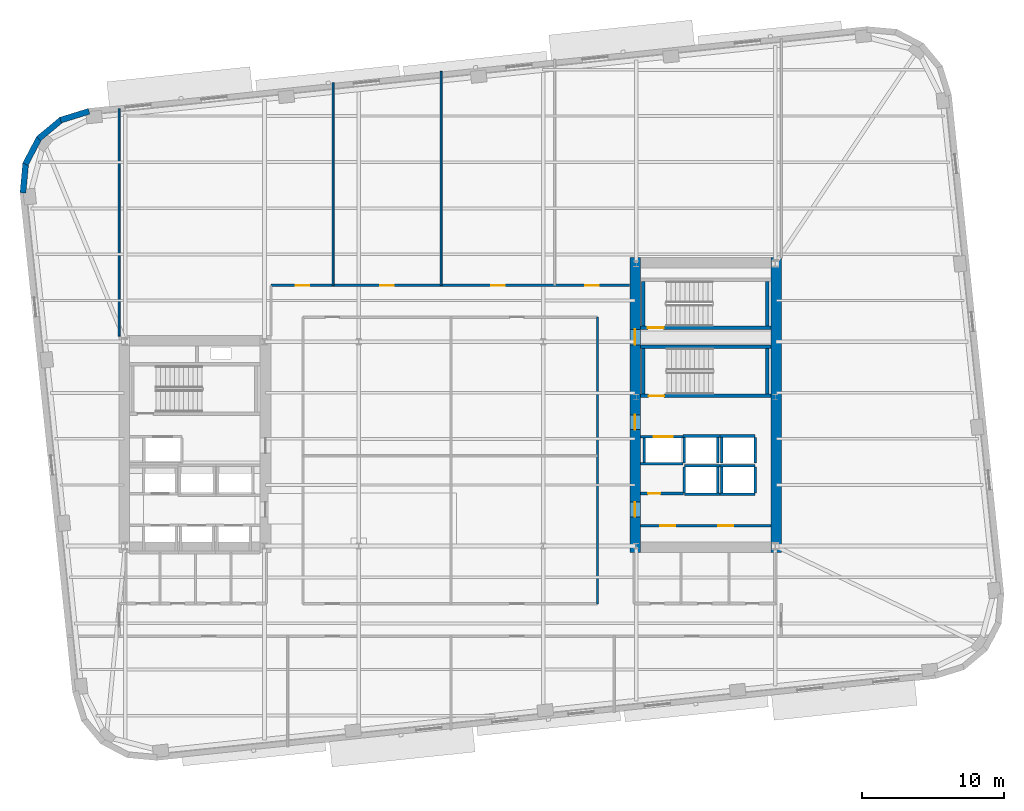
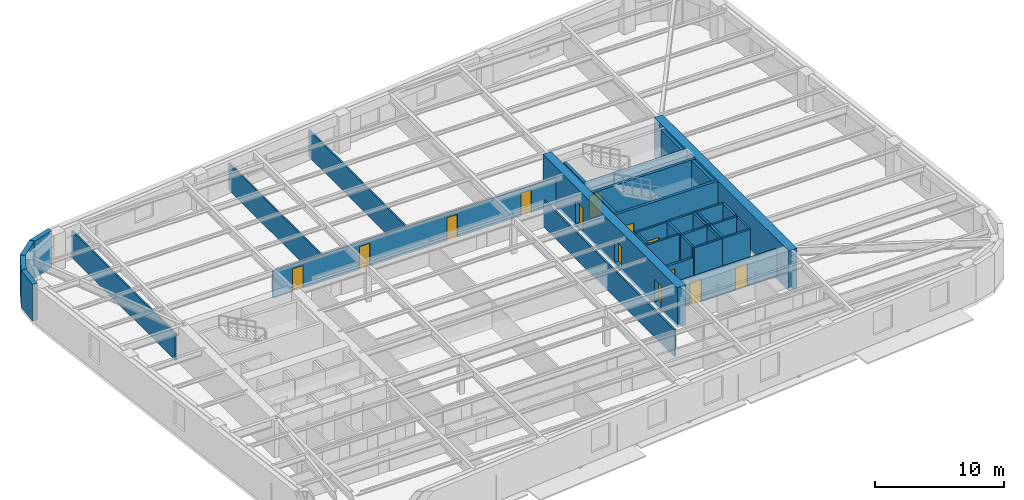
# One storey, part 6 of 11: 37 walls, 13 doors, 13 openings.
"""IFC4 building model written with IfcOpenShell, lengths in metres."""

from ifc_helpers import new_model, si_unit, direction, frame, frame_2d, origin, place, context, subcontext, project, spatial, rectangle, extrude, material, layer, layer_set, type_object, element, fill, save


model = new_model("IFC4")

# Units and contexts
model_context = context("Model", 3, precision=1e-05, world=origin(), true_north=direction((0.0, 1.0)))
body_context = subcontext(model_context, "Body", "Model", "MODEL_VIEW")
ifc_project = project(units=[si_unit("LENGTHUNIT", "METRE"), si_unit("AREAUNIT", "SQUARE_METRE"), si_unit("VOLUMEUNIT", "CUBIC_METRE"), si_unit("PLANEANGLEUNIT", "RADIAN"), si_unit("MASSUNIT", "GRAM", prefix="KILO")], contexts=[model_context])

# Site, building, storey
site_placement = place(None, origin())
site = spatial("IfcSite", under=ifc_project, at=site_placement, CompositionType="ELEMENT")
building_placement = place(site_placement, origin())
building = spatial("IfcBuilding", under=site, at=building_placement, Name="Kolvaren Arena Tower", CompositionType="ELEMENT")
storey_placement = place(building_placement, frame((0.0, 0.0, 134.5)))
storey = spatial("IfcBuildingStorey", under=building, at=storey_placement, Name="L31", CompositionType="ELEMENT", Elevation=134.5)

# Wall, openings, doors
ifc_material_1 = material(Name="Gypsum board acoustic assembly", Category="gypsum")
ifc_layer_1 = layer(ifc_material_1, 0.159912109375)
ifc_layer_set_1 = layer_set([ifc_layer_1], Name="Gypsum board acoustic assembly")
wall_type_1 = type_object("IfcWallType", Name="CORR-160", PredefinedType="PARTITIONING", material=ifc_layer_set_1)
wall_1_placement = place(storey_placement, frame((24.820068359375, 37.820068359375, 0.0), z_axis=(0.0, 0.0, 1.0), x_axis=(1.0, 0.0, 0.0)))
wall_1 = element("IfcWall", 1, at=wall_1_placement, inside=storey, type_object=wall_type_1, Name="Interior Partition Wall (L31)", PredefinedType="PARTITIONING", context=body_context, shape_type="SweptSolid", body=[
    extrude(rectangle(XDim=25.260009765625, YDim=0.159912109375, at=frame_2d((12.6298828125, 0.0))), origin(), (0.0, 0.0, 1.0), 2.5400390625),
])
opening_1_placement = place(wall_1_placement, frame((1.72998046875, 0.0, 0.0)))
opening_1 = element("IfcOpeningElement", 2, at=opening_1_placement, cuts=wall_1, Name="Opening D05", PredefinedType="OPENING", context=body_context, shape_type="SweptSolid", body=[
    extrude(rectangle(XDim=0.949951171875, YDim=2.14990234375, at=frame_2d((0.47509765625, 1.074951171875))), frame((0.0, 0.08984375, 0.0), z_axis=(0.0, -1.0, 0.0), x_axis=(1.0, 0.0, 0.0)), (0.0, 0.0, 1.0), 0.179931640625),
])
opening_2_placement = place(wall_1_placement, frame((7.705078125, 0.0, 0.0)))
opening_2 = element("IfcOpeningElement", 3, at=opening_2_placement, cuts=wall_1, Name="Opening D05", PredefinedType="OPENING", context=body_context, shape_type="SweptSolid", body=[
    extrude(rectangle(XDim=0.949951171875, YDim=2.14990234375, at=frame_2d((0.47509765625, 1.074951171875))), frame((0.0, 0.08984375, 0.0), z_axis=(0.0, -1.0, 0.0), x_axis=(1.0, 0.0, 0.0)), (0.0, 0.0, 1.0), 0.179931640625),
])
opening_3_placement = place(wall_1_placement, frame((15.5048828125, 0.0, 0.0)))
opening_3 = element("IfcOpeningElement", 4, at=opening_3_placement, cuts=wall_1, Name="Opening D05", PredefinedType="OPENING", context=body_context, shape_type="SweptSolid", body=[
    extrude(rectangle(XDim=0.949951171875, YDim=2.14990234375, at=frame_2d((0.47509765625, 1.074951171875))), frame((0.0, 0.08984375, 0.0), z_axis=(0.0, -1.0, 0.0), x_axis=(1.0, 0.0, 0.0)), (0.0, 0.0, 1.0), 0.179931640625),
])
opening_4_placement = place(wall_1_placement, frame((22.1298828125, 0.0, 0.0)))
opening_4 = element("IfcOpeningElement", 5, at=opening_4_placement, cuts=wall_1, Name="Opening D05", PredefinedType="OPENING", context=body_context, shape_type="SweptSolid", body=[
    extrude(rectangle(XDim=0.949951171875, YDim=2.14990234375, at=frame_2d((0.47509765625, 1.074951171875))), frame((0.0, 0.08984375, 0.0), z_axis=(0.0, -1.0, 0.0), x_axis=(1.0, 0.0, 0.0)), (0.0, 0.0, 1.0), 0.179931640625),
])
ifc_material_2 = material(Name="Solid-core oak acoustic office door", Category="wood")
door_type_1 = type_object("IfcDoorType", Name="DOOR-OF-095", OperationType="NOTDEFINED", PredefinedType="DOOR", material=ifc_material_2)
door_1_placement = place(opening_1_placement, origin())
door_1 = element("IfcDoor", 6, at=door_1_placement, inside=storey, type_object=door_type_1, Name="Corporate Project Office Door (L31)", OperationType="SINGLE_SWING_LEFT", OverallHeight=2.14990234375, OverallWidth=0.949951171875, PredefinedType="DOOR", context=body_context, shape_type="SweptSolid", body=[
    extrude(rectangle(XDim=0.949951171875, YDim=2.14990234375, at=frame_2d((0.47509765625, 1.074951171875))), frame((0.0, 0.02490234375, 0.0), z_axis=(0.0, -1.0, 0.0), x_axis=(1.0, 0.0, 0.0)), (0.0, 0.0, 1.0), 0.050048828125),
])
fill(opening_1, door_1)
door_2_placement = place(opening_2_placement, origin())
door_2 = element("IfcDoor", 7, at=door_2_placement, inside=storey, type_object=door_type_1, Name="Breakout Pantry and Kitchen Door (L31)", OperationType="SINGLE_SWING_RIGHT", OverallHeight=2.14990234375, OverallWidth=0.949951171875, PredefinedType="DOOR", context=body_context, shape_type="SweptSolid", body=[
    extrude(rectangle(XDim=0.949951171875, YDim=2.14990234375, at=frame_2d((0.47509765625, 1.074951171875))), frame((0.0, 0.02490234375, 0.0), z_axis=(0.0, -1.0, 0.0), x_axis=(1.0, 0.0, 0.0)), (0.0, 0.0, 1.0), 0.050048828125),
])
fill(opening_2, door_2)
door_3_placement = place(opening_3_placement, origin())
door_3 = element("IfcDoor", 8, at=door_3_placement, inside=storey, type_object=door_type_1, Name="Design Studio Door (L31)", OperationType="SINGLE_SWING_LEFT", OverallHeight=2.14990234375, OverallWidth=0.949951171875, PredefinedType="DOOR", context=body_context, shape_type="SweptSolid", body=[
    extrude(rectangle(XDim=0.949951171875, YDim=2.14990234375, at=frame_2d((0.47509765625, 1.074951171875))), frame((0.0, 0.02490234375, 0.0), z_axis=(0.0, -1.0, 0.0), x_axis=(1.0, 0.0, 0.0)), (0.0, 0.0, 1.0), 0.050048828125),
])
fill(opening_3, door_3)
door_4_placement = place(opening_4_placement, origin())
door_4 = element("IfcDoor", 9, at=door_4_placement, inside=storey, type_object=door_type_1, Name="Design Studio Door (L31)", OperationType="SINGLE_SWING_RIGHT", OverallHeight=2.14990234375, OverallWidth=0.949951171875, PredefinedType="DOOR", context=body_context, shape_type="SweptSolid", body=[
    extrude(rectangle(XDim=0.949951171875, YDim=2.14990234375, at=frame_2d((0.47509765625, 1.074951171875))), frame((0.0, 0.02490234375, 0.0), z_axis=(0.0, -1.0, 0.0), x_axis=(1.0, 0.0, 0.0)), (0.0, 0.0, 1.0), 0.050048828125),
])
fill(opening_4, door_4)

# Wall
wall_2_placement = place(storey_placement, frame((47.820068359375, 15.3798828125, 0.0), z_axis=(0.0, 0.0, 1.0), x_axis=(0.0, 1.0, 0.0)))
element("IfcWall", 10, at=wall_2_placement, inside=storey, type_object=wall_type_1, Name="Interior Partition Wall (L31)", PredefinedType="PARTITIONING", context=body_context, shape_type="SweptSolid", body=[
    extrude(rectangle(XDim=20.2001953125, YDim=0.159912109375, at=frame_2d((10.10009765625, 0.0))), origin(), (0.0, 0.0, 1.0), 2.5400390625),
])

# Wall, openings, doors
ifc_material_3 = material(Name="Concrete 70 MPa", Category="concrete")
ifc_layer_2 = layer(ifc_material_3, 0.75)
ifc_layer_set_2 = layer_set([ifc_layer_2], Name="Concrete 70 MPa")
wall_type_2 = type_object("IfcWallType", Name="CWALL-750", PredefinedType="SHEAR", material=ifc_layer_set_2)
wall_3_placement = place(storey_placement, frame((50.47509765625, 19.0, -0.27001953125), z_axis=(0.0, 0.0, 1.0), x_axis=(0.0, 1.0, 0.0)))
wall_3 = element("IfcWall", 11, at=wall_3_placement, inside=storey, type_object=wall_type_2, Name="Core Shear Wall EC-WEST (L31)", PredefinedType="SHEAR", context=body_context, shape_type="SweptSolid", body=[
    extrude(rectangle(XDim=20.800048828125, YDim=0.75, at=frame_2d((10.39990234375, 0.0))), origin(), (0.0, 0.0, 1.0), 3.75),
])
opening_5_placement = place(wall_3_placement, frame((2.5, 0.0, 0.27001953125)))
opening_5 = element("IfcOpeningElement", 12, at=opening_5_placement, cuts=wall_3, Name="Opening D04", PredefinedType="OPENING", context=body_context, shape_type="SweptSolid", body=[
    extrude(rectangle(XDim=1.050048828125, YDim=2.14990234375, at=frame_2d((0.52490234375, 1.074951171875))), frame((0.0, 0.385009765625, 0.0), z_axis=(0.0, -1.0, 0.0), x_axis=(1.0, 0.0, 0.0)), (0.0, 0.0, 1.0), 0.77001953125),
])
opening_6_placement = place(wall_3_placement, frame((8.64990234375, 0.0, 0.27001953125)))
opening_6 = element("IfcOpeningElement", 13, at=opening_6_placement, cuts=wall_3, Name="Opening D04", PredefinedType="OPENING", context=body_context, shape_type="SweptSolid", body=[
    extrude(rectangle(XDim=1.050048828125, YDim=2.14990234375, at=frame_2d((0.52490234375, 1.074951171875))), frame((0.0, 0.385009765625, 0.0), z_axis=(0.0, -1.0, 0.0), x_axis=(1.0, 0.0, 0.0)), (0.0, 0.0, 1.0), 0.77001953125),
])
opening_7_placement = place(wall_3_placement, frame((14.6201171875, 0.0, 0.27001953125)))
opening_7 = element("IfcOpeningElement", 14, at=opening_7_placement, cuts=wall_3, Name="Opening D03", PredefinedType="OPENING", context=body_context, shape_type="SweptSolid", body=[
    extrude(rectangle(XDim=1.10009765625, YDim=2.14990234375, at=frame_2d((0.550048828125, 1.074951171875))), frame((0.0, 0.385009765625, 0.0), z_axis=(0.0, -1.0, 0.0), x_axis=(1.0, 0.0, 0.0)), (0.0, 0.0, 1.0), 0.77001953125),
])
ifc_material_4 = material(Name="Fire-rated steel lobby door", Category="steel")
door_type_2 = type_object("IfcDoorType", Name="DOOR-FF-105", OperationType="NOTDEFINED", PredefinedType="DOOR", material=ifc_material_4)
door_5_placement = place(opening_5_placement, origin())
door_5 = element("IfcDoor", 15, at=door_5_placement, inside=storey, type_object=door_type_2, Name="East Lift Lobby Fire Door (L31)", OperationType="SINGLE_SWING_RIGHT", OverallHeight=2.14990234375, OverallWidth=1.050048828125, PredefinedType="DOOR", context=body_context, shape_type="SweptSolid", body=[
    extrude(rectangle(XDim=1.050048828125, YDim=2.14990234375, at=frame_2d((0.52490234375, 1.074951171875))), frame((0.0, 0.02490234375, 0.0), z_axis=(0.0, -1.0, 0.0), x_axis=(1.0, 0.0, 0.0)), (0.0, 0.0, 1.0), 0.050048828125),
])
fill(opening_5, door_5)
door_6_placement = place(opening_6_placement, origin())
door_6 = element("IfcDoor", 16, at=door_6_placement, inside=storey, type_object=door_type_2, Name="East Firefighter Vestibule Door (L31)", OperationType="SINGLE_SWING_LEFT", OverallHeight=2.14990234375, OverallWidth=1.050048828125, PredefinedType="DOOR", context=body_context, shape_type="SweptSolid", body=[
    extrude(rectangle(XDim=1.050048828125, YDim=2.14990234375, at=frame_2d((0.52490234375, 1.074951171875))), frame((0.0, 0.02490234375, 0.0), z_axis=(0.0, -1.0, 0.0), x_axis=(1.0, 0.0, 0.0)), (0.0, 0.0, 1.0), 0.050048828125),
])
fill(opening_6, door_6)
ifc_material_5 = material(Name="Fire-rated steel exit stair door", Category="steel")
door_type_3 = type_object("IfcDoorType", Name="DOOR-ST-110", OperationType="NOTDEFINED", PredefinedType="DOOR", material=ifc_material_5)
door_7_placement = place(opening_7_placement, origin())
door_7 = element("IfcDoor", 17, at=door_7_placement, inside=storey, type_object=door_type_3, Name="Stair ST-E2 Vestibule Fire Door (L31)", OperationType="SINGLE_SWING_LEFT", OverallHeight=2.14990234375, OverallWidth=1.10009765625, PredefinedType="DOOR", context=body_context, shape_type="SweptSolid", body=[
    extrude(rectangle(XDim=1.10009765625, YDim=2.14990234375, at=frame_2d((0.550048828125, 1.074951171875))), frame((0.0, 0.02490234375, 0.0), z_axis=(0.0, -1.0, 0.0), x_axis=(1.0, 0.0, 0.0)), (0.0, 0.0, 1.0), 0.050048828125),
])
fill(opening_7, door_7)

# Walls
wall_4_placement = place(storey_placement, frame((60.425048828125, 19.0, -0.27001953125), z_axis=(0.0, 0.0, 1.0), x_axis=(0.0, 1.0, 0.0)))
element("IfcWall", 18, at=wall_4_placement, inside=storey, type_object=wall_type_2, Name="Core Shear Wall EC-EAST (L31)", PredefinedType="SHEAR", context=body_context, shape_type="SweptSolid", body=[
    extrude(rectangle(XDim=20.800048828125, YDim=0.75, at=frame_2d((10.39990234375, 0.0))), origin(), (0.0, 0.0, 1.0), 3.75),
])
ifc_material_6 = material(Name="Precast concrete C50/60", Category="concrete")
ifc_layer_3 = layer(ifc_material_6, 0.419921875)
ifc_layer_set_3 = layer_set([ifc_layer_3], Name="Precast concrete C50/60")
wall_type_3 = type_object("IfcWallType", Name="EXT-PIER1", PredefinedType="SOLIDWALL", material=ifc_layer_set_3)
wall_5_placement = place(storey_placement, frame((9.98681640625, 49.463134765625, 0.0), z_axis=(0.0, 0.0, 1.0), x_axis=(0.955016613791, 0.296552301261, 0.0)))
element("IfcWall", 19, at=wall_5_placement, inside=storey, type_object=wall_type_3, Name="Exterior Precast Masonry-Frame Wall (L31)", PredefinedType="SOLIDWALL", context=body_context, shape_type="SweptSolid", body=[
    extrude(rectangle(XDim=2.106689453125, YDim=0.419921875, at=frame_2d((1.05322265625, 0.0))), origin(), (0.0, 0.0, 1.0), 3.47998046875),
])
wall_6_placement = place(storey_placement, frame((8.438720703125, 48.15478515625, 0.0), z_axis=(0.0, 0.0, 1.0), x_axis=(0.768800317178, 0.639488914921, 0.0)))
element("IfcWall", 20, at=wall_6_placement, inside=storey, type_object=wall_type_3, Name="Exterior Precast Masonry-Frame Wall (L31)", PredefinedType="SOLIDWALL", context=body_context, shape_type="SweptSolid", body=[
    extrude(rectangle(XDim=2.10693359375, YDim=0.419921875, at=frame_2d((1.053466796875, 0.0))), origin(), (0.0, 0.0, 1.0), 3.47998046875),
])
wall_7_placement = place(storey_placement, frame((7.50927734375, 46.35400390625, 0.0), z_axis=(0.0, 0.0, 1.0), x_axis=(0.465612698516, 0.884988595961, 0.0)))
element("IfcWall", 21, at=wall_7_placement, inside=storey, type_object=wall_type_3, Name="Exterior Precast Masonry-Frame Wall (L31)", PredefinedType="SOLIDWALL", context=body_context, shape_type="SweptSolid", body=[
    extrude(rectangle(XDim=2.106689453125, YDim=0.419921875, at=frame_2d((1.05322265625, 0.0))), origin(), (0.0, 0.0, 1.0), 3.47998046875),
])
wall_8_placement = place(storey_placement, frame((7.339599609375, 44.33447265625, 0.0), z_axis=(0.0, 0.0, 1.0), x_axis=(0.091538655308, 0.995801523691, 0.0)))
element("IfcWall", 22, at=wall_8_placement, inside=storey, type_object=wall_type_3, Name="Exterior Precast Masonry-Frame Wall (L31)", PredefinedType="SOLIDWALL", context=body_context, shape_type="SweptSolid", body=[
    extrude(rectangle(XDim=2.10693359375, YDim=0.419921875, at=frame_2d((1.053466796875, 0.0))), origin(), (0.0, 0.0, 1.0), 3.47998046875),
])

# Wall, openings, doors
ifc_material_7 = material(Name="Concrete 40 MPa", Category="concrete")
ifc_layer_4 = layer(ifc_material_7, 0.199951171875)
ifc_layer_set_4 = layer_set([ifc_layer_4], Name="Concrete 40 MPa")
wall_type_4 = type_object("IfcWallType", Name="LOBBY-200", PredefinedType="SOLIDWALL", material=ifc_layer_set_4)
wall_9_placement = place(storey_placement, frame((50.85009765625, 20.8798828125, 0.0), z_axis=(0.0, 0.0, 1.0), x_axis=(1.0, 0.0, 0.0)))
wall_9 = element("IfcWall", 23, at=wall_9_placement, inside=storey, type_object=wall_type_4, Name="Core Shaft Wall (L31)", PredefinedType="SOLIDWALL", context=body_context, shape_type="SweptSolid", body=[
    extrude(rectangle(XDim=9.199951171875, YDim=0.199951171875, at=frame_2d((4.60009765625, 0.0))), origin(), (0.0, 0.0, 1.0), 2.5400390625),
])
opening_8_placement = place(wall_9_placement, frame((1.39990234375, 0.0, 0.0)))
opening_8 = element("IfcOpeningElement", 24, at=opening_8_placement, cuts=wall_9, Name="Opening D04", PredefinedType="OPENING", context=body_context, shape_type="SweptSolid", body=[
    extrude(rectangle(XDim=1.050048828125, YDim=2.14990234375, at=frame_2d((0.52490234375, 1.074951171875))), frame((0.0, 0.10986328125, 0.0), z_axis=(0.0, -1.0, 0.0), x_axis=(1.0, 0.0, 0.0)), (0.0, 0.0, 1.0), 0.219970703125),
])
opening_9_placement = place(wall_9_placement, frame((5.5, 0.0, 0.0)))
opening_9 = element("IfcOpeningElement", 25, at=opening_9_placement, cuts=wall_9, Name="Opening D04", PredefinedType="OPENING", context=body_context, shape_type="SweptSolid", body=[
    extrude(rectangle(XDim=1.050048828125, YDim=2.14990234375, at=frame_2d((0.52490234375, 1.074951171875))), frame((0.0, 0.10986328125, 0.0), z_axis=(0.0, -1.0, 0.0), x_axis=(1.0, 0.0, 0.0)), (0.0, 0.0, 1.0), 0.219970703125),
])
door_8_placement = place(opening_8_placement, origin())
door_8 = element("IfcDoor", 26, at=door_8_placement, inside=storey, type_object=door_type_2, Name="East Telecom Room Fire Door (L31)", OperationType="SINGLE_SWING_RIGHT", OverallHeight=2.14990234375, OverallWidth=1.050048828125, PredefinedType="DOOR", context=body_context, shape_type="SweptSolid", body=[
    extrude(rectangle(XDim=1.050048828125, YDim=2.14990234375, at=frame_2d((0.52490234375, 1.074951171875))), frame((0.0, 0.02490234375, 0.0), z_axis=(0.0, -1.0, 0.0), x_axis=(1.0, 0.0, 0.0)), (0.0, 0.0, 1.0), 0.050048828125),
])
fill(opening_8, door_8)
door_9_placement = place(opening_9_placement, origin())
door_9 = element("IfcDoor", 27, at=door_9_placement, inside=storey, type_object=door_type_2, Name="East Records Room Fire Door (L31)", OperationType="SINGLE_SWING_LEFT", OverallHeight=2.14990234375, OverallWidth=1.050048828125, PredefinedType="DOOR", context=body_context, shape_type="SweptSolid", body=[
    extrude(rectangle(XDim=1.050048828125, YDim=2.14990234375, at=frame_2d((0.52490234375, 1.074951171875))), frame((0.0, 0.02490234375, 0.0), z_axis=(0.0, -1.0, 0.0), x_axis=(1.0, 0.0, 0.0)), (0.0, 0.0, 1.0), 0.050048828125),
])
fill(opening_9, door_9)

# Wall, opening, door
wall_10_placement = place(storey_placement, frame((50.85009765625, 23.159912109375, 0.0), z_axis=(0.0, 0.0, 1.0), x_axis=(1.0, 0.0, 0.0)))
wall_10 = element("IfcWall", 28, at=wall_10_placement, inside=storey, type_object=wall_type_4, Name="Core Shaft Wall (L31)", PredefinedType="SOLIDWALL", context=body_context, shape_type="SweptSolid", body=[
    extrude(rectangle(XDim=3.02978515625, YDim=0.199951171875, at=frame_2d((1.514892578125, 0.0))), origin(), (0.0, 0.0, 1.0), 2.5400390625),
])
opening_10_placement = place(wall_10_placement, frame((0.550048828125, 0.0, 0.0)))
opening_10 = element("IfcOpeningElement", 29, at=opening_10_placement, cuts=wall_10, Name="Opening D09", PredefinedType="OPENING", context=body_context, shape_type="SweptSolid", body=[
    extrude(rectangle(XDim=0.860107421875, YDim=2.050048828125, at=frame_2d((0.43017578125, 1.02490234375))), frame((0.0, 0.10986328125, 0.0), z_axis=(0.0, -1.0, 0.0), x_axis=(1.0, 0.0, 0.0)), (0.0, 0.0, 1.0), 0.219970703125),
])
ifc_material_8 = material(Name="Fire-rated steel riser access door", Category="steel")
door_type_4 = type_object("IfcDoorType", Name="DOOR-RS-086", OperationType="NOTDEFINED", PredefinedType="DOOR", material=ifc_material_8)
door_10_placement = place(opening_10_placement, origin())
door_10 = element("IfcDoor", 30, at=door_10_placement, inside=storey, type_object=door_type_4, Name="East AV Riser Closet Door (L31)", OperationType="SINGLE_SWING_LEFT", OverallHeight=2.050048828125, OverallWidth=0.860107421875, PredefinedType="DOOR", context=body_context, shape_type="SweptSolid", body=[
    extrude(rectangle(XDim=0.860107421875, YDim=2.050048828125, at=frame_2d((0.43017578125, 1.02490234375))), frame((0.0, 0.02490234375, 0.0), z_axis=(0.0, -1.0, 0.0), x_axis=(1.0, 0.0, 0.0)), (0.0, 0.0, 1.0), 0.050048828125),
])
fill(opening_10, door_10)

# Walls
ifc_material_9 = material(Name="Gypsum board partition assembly", Category="gypsum")
ifc_layer_5 = layer(ifc_material_9, 0.135009765625)
ifc_layer_set_5 = layer_set([ifc_layer_5], Name="Gypsum board partition assembly")
wall_type_5 = type_object("IfcWallType", Name="PART-135", PredefinedType="PARTITIONING", material=ifc_layer_set_5)
wall_11_placement = place(storey_placement, frame((29.199951171875, 37.820068359375, 0.0), z_axis=(0.0, 0.0, 1.0), x_axis=(0.0, 1.0, 0.0)))
element("IfcWall", 31, at=wall_11_placement, inside=storey, type_object=wall_type_5, Name="Interior Partition Wall (L31)", PredefinedType="PARTITIONING", context=body_context, shape_type="SweptSolid", body=[
    extrude(rectangle(XDim=14.28271484375, YDim=0.135009765625, at=frame_2d((7.141357421875, 0.0))), origin(), (0.0, 0.0, 1.0), 2.5400390625),
])
wall_12_placement = place(storey_placement, frame((36.800048828125, 37.820068359375, 0.0), z_axis=(0.0, 0.0, 1.0), x_axis=(0.0, 1.0, 0.0)))
element("IfcWall", 32, at=wall_12_placement, inside=storey, type_object=wall_type_5, Name="Interior Partition Wall (L31)", PredefinedType="PARTITIONING", context=body_context, shape_type="SweptSolid", body=[
    extrude(rectangle(XDim=15.08154296875, YDim=0.135009765625, at=frame_2d((7.540771484375, 0.0))), origin(), (0.0, 0.0, 1.0), 2.5400390625),
])
wall_13_placement = place(storey_placement, frame((14.1201171875, 34.25, 0.0), z_axis=(0.0, 0.0, 1.0), x_axis=(0.0, 1.0, 0.0)))
element("IfcWall", 33, at=wall_13_placement, inside=storey, type_object=wall_type_5, Name="Interior Partition Wall (L31)", PredefinedType="PARTITIONING", context=body_context, shape_type="SweptSolid", body=[
    extrude(rectangle(XDim=16.026611328125, YDim=0.135009765625, at=frame_2d((8.01318359375, 0.0))), origin(), (0.0, 0.0, 1.0), 2.5400390625),
])

# Wall, opening, door
ifc_material_10 = material(Name="Concrete 45 MPa", Category="concrete")
ifc_layer_6 = layer(ifc_material_10, 0.25)
ifc_layer_set_6 = layer_set([ifc_layer_6], Name="Concrete 45 MPa")
wall_type_6 = type_object("IfcWallType", Name="SHAFT-250", PredefinedType="SOLIDWALL", material=ifc_layer_set_6)
wall_14_placement = place(storey_placement, frame((60.050048828125, 30.030029296875, 0.0), z_axis=(0.0, 0.0, 1.0), x_axis=(-1.0, 0.0, 0.0)))
wall_14 = element("IfcWall", 34, at=wall_14_placement, inside=storey, type_object=wall_type_6, Name="Core Shaft Wall (L31)", PredefinedType="SOLIDWALL", context=body_context, shape_type="SweptSolid", body=[
    extrude(rectangle(XDim=9.199951171875, YDim=0.239990234375, at=frame_2d((4.60009765625, 0.0))), origin(), (0.0, 0.0, 1.0), 3.47998046875),
])
opening_11_placement = place(wall_14_placement, frame((7.530029296875, 0.0, 0.0)))
opening_11 = element("IfcOpeningElement", 35, at=opening_11_placement, cuts=wall_14, Name="Opening D03", PredefinedType="OPENING", context=body_context, shape_type="SweptSolid", body=[
    extrude(rectangle(XDim=1.10009765625, YDim=2.14990234375, at=frame_2d((0.550048828125, 1.074951171875))), frame((0.0, 0.1298828125, 0.0), z_axis=(0.0, -1.0, 0.0), x_axis=(1.0, 0.0, 0.0)), (0.0, 0.0, 1.0), 0.260009765625),
])
door_11_placement = place(opening_11_placement, origin())
door_11 = element("IfcDoor", 36, at=door_11_placement, inside=storey, type_object=door_type_3, Name="Stair ST-E1 Fire Door (L31)", OperationType="SINGLE_SWING_LEFT", OverallHeight=2.14990234375, OverallWidth=1.10009765625, PredefinedType="DOOR", context=body_context, shape_type="SweptSolid", body=[
    extrude(rectangle(XDim=1.10009765625, YDim=2.14990234375, at=frame_2d((0.550048828125, 1.074951171875))), frame((0.0, 0.02490234375, 0.0), z_axis=(0.0, -1.0, 0.0), x_axis=(1.0, 0.0, 0.0)), (0.0, 0.0, 1.0), 0.050048828125),
])
fill(opening_11, door_11)

# Walls
wall_15_placement = place(storey_placement, frame((50.85009765625, 33.5, 0.0), z_axis=(0.0, 0.0, 1.0), x_axis=(1.0, 0.0, 0.0)))
element("IfcWall", 37, at=wall_15_placement, inside=storey, type_object=wall_type_6, Name="Core Shaft Wall (L31)", PredefinedType="SOLIDWALL", context=body_context, shape_type="SweptSolid", body=[
    extrude(rectangle(XDim=9.199951171875, YDim=0.239990234375, at=frame_2d((4.60009765625, 0.0))), origin(), (0.0, 0.0, 1.0), 3.47998046875),
])
for number, where, z_axis, x_axis, name in (
    (38, (51.06005859375, 30.14990234375, 0.0), (0.0, 0.0, 1.0), (0.0, 1.0, 0.0), "Core Shaft Wall (L31)"),
    (39, (59.780029296875, 30.14990234375, 0.0), (0.0, 0.0, 1.0), (0.0, 1.0, 0.0), "Core Shaft Wall (L31)"),
):
    element("IfcWall", number, at=place(storey_placement, frame(where, z_axis=z_axis, x_axis=x_axis)), inside=storey, type_object=wall_type_6, Name=name, PredefinedType="SOLIDWALL", context=body_context, shape_type="SweptSolid", body=[
        extrude(rectangle(XDim=3.22998046875, YDim=0.239990234375, at=frame_2d((1.614990234375, 0.0))), origin(), (0.0, 0.0, 1.0), 3.47998046875),
    ])

# Wall, opening, door
wall_16_placement = place(storey_placement, frame((60.050048828125, 34.830078125, 0.0), z_axis=(0.0, 0.0, 1.0), x_axis=(-1.0, 0.0, 0.0)))
wall_16 = element("IfcWall", 40, at=wall_16_placement, inside=storey, type_object=wall_type_6, Name="Core Shaft Wall (L31)", PredefinedType="SOLIDWALL", context=body_context, shape_type="SweptSolid", body=[
    extrude(rectangle(XDim=9.199951171875, YDim=0.239990234375, at=frame_2d((4.60009765625, 0.0))), origin(), (0.0, 0.0, 1.0), 3.47998046875),
])
opening_12_placement = place(wall_16_placement, frame((7.570068359375, 0.0, 0.0)))
opening_12 = element("IfcOpeningElement", 41, at=opening_12_placement, cuts=wall_16, Name="Opening D03", PredefinedType="OPENING", context=body_context, shape_type="SweptSolid", body=[
    extrude(rectangle(XDim=1.10009765625, YDim=2.14990234375, at=frame_2d((0.550048828125, 1.074951171875))), frame((0.0, 0.1298828125, 0.0), z_axis=(0.0, -1.0, 0.0), x_axis=(1.0, 0.0, 0.0)), (0.0, 0.0, 1.0), 0.260009765625),
])
door_12_placement = place(opening_12_placement, origin())
door_12 = element("IfcDoor", 42, at=door_12_placement, inside=storey, type_object=door_type_3, Name="Stair ST-E2 Fire Door (L31)", OperationType="SINGLE_SWING_LEFT", OverallHeight=2.14990234375, OverallWidth=1.10009765625, PredefinedType="DOOR", context=body_context, shape_type="SweptSolid", body=[
    extrude(rectangle(XDim=1.10009765625, YDim=2.14990234375, at=frame_2d((0.550048828125, 1.074951171875))), frame((0.0, 0.02490234375, 0.0), z_axis=(0.0, -1.0, 0.0), x_axis=(1.0, 0.0, 0.0)), (0.0, 0.0, 1.0), 0.050048828125),
])
fill(opening_12, door_12)

# Walls
for number, where, z_axis, x_axis, name in (
    (43, (51.06005859375, 34.949951171875, 0.0), (0.0, 0.0, 1.0), (0.0, 1.0, 0.0), "Core Shaft Wall (L31)"),
    (44, (59.780029296875, 34.949951171875, 0.0), (0.0, 0.0, 1.0), (0.0, 1.0, 0.0), "Core Shaft Wall (L31)"),
):
    element("IfcWall", number, at=place(storey_placement, frame(where, z_axis=z_axis, x_axis=x_axis)), inside=storey, type_object=wall_type_6, Name=name, PredefinedType="SOLIDWALL", context=body_context, shape_type="SweptSolid", body=[
        extrude(rectangle(XDim=3.150146484375, YDim=0.239990234375, at=frame_2d((1.5751953125, 0.0))), origin(), (0.0, 0.0, 1.0), 3.47998046875),
    ])
for number, where, z_axis, x_axis, name in (
    (45, (53.93994140625, 25.10498046875, 0.0), (0.0, 0.0, 1.0), (1.0, 0.0, 0.0), "Core Shaft Wall (L31)"),
    (46, (53.93994140625, 23.094970703125, 0.0), (0.0, 0.0, 1.0), (1.0, 0.0, 0.0), "Core Shaft Wall (L31)"),
):
    element("IfcWall", number, at=place(storey_placement, frame(where, z_axis=z_axis, x_axis=x_axis)), inside=storey, type_object=wall_type_6, Name=name, PredefinedType="SOLIDWALL", context=body_context, shape_type="SweptSolid", body=[
        extrude(rectangle(XDim=2.5, YDim=0.179931640625, at=frame_2d((1.25, 0.0))), origin(), (0.0, 0.0, 1.0), 3.47998046875),
    ])
for number, where, z_axis, x_axis, name in (
    (47, (53.93994140625, 23.18505859375, 0.0), (0.0, 0.0, 1.0), (0.0, 1.0, 0.0), "Core Shaft Wall (L31)"),
    (48, (56.300048828125, 23.18505859375, 0.0), (0.0, 0.0, 1.0), (0.0, 1.0, 0.0), "Core Shaft Wall (L31)"),
):
    element("IfcWall", number, at=place(storey_placement, frame(where, z_axis=z_axis, x_axis=x_axis)), inside=storey, type_object=wall_type_6, Name=name, PredefinedType="SOLIDWALL", context=body_context, shape_type="SweptSolid", body=[
        extrude(rectangle(XDim=1.829833984375, YDim=0.179931640625, at=frame_2d((0.9150390625, 0.0))), origin(), (0.0, 0.0, 1.0), 3.47998046875),
    ])
for number, where, z_axis, x_axis, name in (
    (49, (56.43994140625, 25.10498046875, 0.0), (0.0, 0.0, 1.0), (1.0, 0.0, 0.0), "Core Shaft Wall (L31)"),
    (50, (56.43994140625, 23.094970703125, 0.0), (0.0, 0.0, 1.0), (1.0, 0.0, 0.0), "Core Shaft Wall (L31)"),
):
    element("IfcWall", number, at=place(storey_placement, frame(where, z_axis=z_axis, x_axis=x_axis)), inside=storey, type_object=wall_type_6, Name=name, PredefinedType="SOLIDWALL", context=body_context, shape_type="SweptSolid", body=[
        extrude(rectangle(XDim=2.5, YDim=0.179931640625, at=frame_2d((1.25, 0.0))), origin(), (0.0, 0.0, 1.0), 3.47998046875),
    ])
for number, where, z_axis, x_axis, name in (
    (51, (56.580078125, 23.18505859375, 0.0), (0.0, 0.0, 1.0), (0.0, 1.0, 0.0), "Core Shaft Wall (L31)"),
    (52, (58.93994140625, 23.18505859375, 0.0), (0.0, 0.0, 1.0), (0.0, 1.0, 0.0), "Core Shaft Wall (L31)"),
):
    element("IfcWall", number, at=place(storey_placement, frame(where, z_axis=z_axis, x_axis=x_axis)), inside=storey, type_object=wall_type_6, Name=name, PredefinedType="SOLIDWALL", context=body_context, shape_type="SweptSolid", body=[
        extrude(rectangle(XDim=1.829833984375, YDim=0.179931640625, at=frame_2d((0.9150390625, 0.0))), origin(), (0.0, 0.0, 1.0), 3.47998046875),
    ])
wall_17_placement = place(storey_placement, frame((53.864990234375, 27.205078125, 0.0), z_axis=(0.0, 0.0, 1.0), x_axis=(1.0, 0.0, 0.0)))
element("IfcWall", 53, at=wall_17_placement, inside=storey, type_object=wall_type_6, Name="Core Shaft Wall (L31)", PredefinedType="SOLIDWALL", context=body_context, shape_type="SweptSolid", body=[
    extrude(rectangle(XDim=2.574951171875, YDim=0.179931640625, at=frame_2d((1.28759765625, 0.0))), origin(), (0.0, 0.0, 1.0), 3.47998046875),
])
for number, where, z_axis, x_axis, name in (
    (54, (53.93994140625, 25.284912109375, 0.0), (0.0, 0.0, 1.0), (0.0, 1.0, 0.0), "Core Shaft Wall (L31)"),
    (55, (56.300048828125, 25.284912109375, 0.0), (0.0, 0.0, 1.0), (0.0, 1.0, 0.0), "Core Shaft Wall (L31)"),
):
    element("IfcWall", number, at=place(storey_placement, frame(where, z_axis=z_axis, x_axis=x_axis)), inside=storey, type_object=wall_type_6, Name=name, PredefinedType="SOLIDWALL", context=body_context, shape_type="SweptSolid", body=[
        extrude(rectangle(XDim=1.830078125, YDim=0.179931640625, at=frame_2d((0.9150390625, 0.0))), origin(), (0.0, 0.0, 1.0), 3.47998046875),
    ])
wall_18_placement = place(storey_placement, frame((56.43994140625, 27.205078125, 0.0), z_axis=(0.0, 0.0, 1.0), x_axis=(1.0, 0.0, 0.0)))
element("IfcWall", 56, at=wall_18_placement, inside=storey, type_object=wall_type_6, Name="Core Shaft Wall (L31)", PredefinedType="SOLIDWALL", context=body_context, shape_type="SweptSolid", body=[
    extrude(rectangle(XDim=2.5, YDim=0.179931640625, at=frame_2d((1.25, 0.0))), origin(), (0.0, 0.0, 1.0), 3.47998046875),
])
for number, where, z_axis, x_axis, name in (
    (57, (56.580078125, 25.284912109375, 0.0), (0.0, 0.0, 1.0), (0.0, 1.0, 0.0), "Core Shaft Wall (L31)"),
    (58, (58.93994140625, 25.284912109375, 0.0), (0.0, 0.0, 1.0), (0.0, 1.0, 0.0), "Core Shaft Wall (L31)"),
):
    element("IfcWall", number, at=place(storey_placement, frame(where, z_axis=z_axis, x_axis=x_axis)), inside=storey, type_object=wall_type_6, Name=name, PredefinedType="SOLIDWALL", context=body_context, shape_type="SweptSolid", body=[
        extrude(rectangle(XDim=1.830078125, YDim=0.179931640625, at=frame_2d((0.9150390625, 0.0))), origin(), (0.0, 0.0, 1.0), 3.47998046875),
    ])

# Wall, opening, door
wall_19_placement = place(storey_placement, frame((50.85009765625, 27.155029296875, 0.0), z_axis=(0.0, 0.0, 1.0), x_axis=(1.0, 0.0, 0.0)))
wall_19 = element("IfcWall", 59, at=wall_19_placement, inside=storey, type_object=wall_type_6, Name="Core Shaft Wall (L31)", PredefinedType="SOLIDWALL", context=body_context, shape_type="SweptSolid", body=[
    extrude(rectangle(XDim=3.014892578125, YDim=0.179931640625, at=frame_2d((1.50732421875, 0.0))), origin(), (0.0, 0.0, 1.0), 3.47998046875),
])
opening_13_placement = place(wall_19_placement, frame((0.93505859375, 0.0, 0.0)))
opening_13 = element("IfcOpeningElement", 60, at=opening_13_placement, cuts=wall_19, Name="Opening LD2", PredefinedType="OPENING", context=body_context, shape_type="SweptSolid", body=[
    extrude(rectangle(XDim=1.35009765625, YDim=2.300048828125, at=frame_2d((0.675048828125, 1.14990234375))), frame((0.0, 0.099853515625, 0.0), z_axis=(0.0, -1.0, 0.0), x_axis=(1.0, 0.0, 0.0)), (0.0, 0.0, 1.0), 0.199951171875),
])
ifc_material_11 = material(Name="Stainless steel firefighter lift landing door", Category="steel")
door_type_5 = type_object("IfcDoorType", Name="DOOR-LD-135", OperationType="DOUBLE_DOOR_SLIDING", PredefinedType="DOOR", material=ifc_material_11)
door_13_placement = place(opening_13_placement, origin())
door_13 = element("IfcDoor", 61, at=door_13_placement, inside=storey, type_object=door_type_5, Name="Firefighter Lift FF-E1 Landing Door (L31)", OperationType="DOUBLE_DOOR_SLIDING", OverallHeight=2.300048828125, OverallWidth=1.35009765625, PredefinedType="DOOR", context=body_context, shape_type="SweptSolid", body=[
    extrude(rectangle(XDim=1.35009765625, YDim=2.300048828125, at=frame_2d((0.675048828125, 1.14990234375))), frame((0.0, 0.02490234375, 0.0), z_axis=(0.0, -1.0, 0.0), x_axis=(1.0, 0.0, 0.0)), (0.0, 0.0, 1.0), 0.050048828125),
])
fill(opening_13, door_13)

# Walls
wall_20_placement = place(storey_placement, frame((50.85009765625, 25.2451171875, 0.0), z_axis=(0.0, 0.0, 1.0), x_axis=(1.0, 0.0, 0.0)))
element("IfcWall", 62, at=wall_20_placement, inside=storey, type_object=wall_type_6, Name="Core Shaft Wall (L31)", PredefinedType="SOLIDWALL", context=body_context, shape_type="SweptSolid", body=[
    extrude(rectangle(XDim=3.014892578125, YDim=0.179931640625, at=frame_2d((1.50732421875, 0.0))), origin(), (0.0, 0.0, 1.0), 3.47998046875),
])
wall_21_placement = place(storey_placement, frame((51.1298828125, 25.3349609375, 0.0), z_axis=(0.0, 0.0, 1.0), x_axis=(0.0, 1.0, 0.0)))
element("IfcWall", 63, at=wall_21_placement, inside=storey, type_object=wall_type_6, Name="Core Shaft Wall (L31)", PredefinedType="SOLIDWALL", context=body_context, shape_type="SweptSolid", body=[
    extrude(rectangle(XDim=1.72998046875, YDim=0.179931640625, at=frame_2d((0.864990234375, 0.0))), origin(), (0.0, 0.0, 1.0), 3.47998046875),
])

save(model, "model.ifc")
